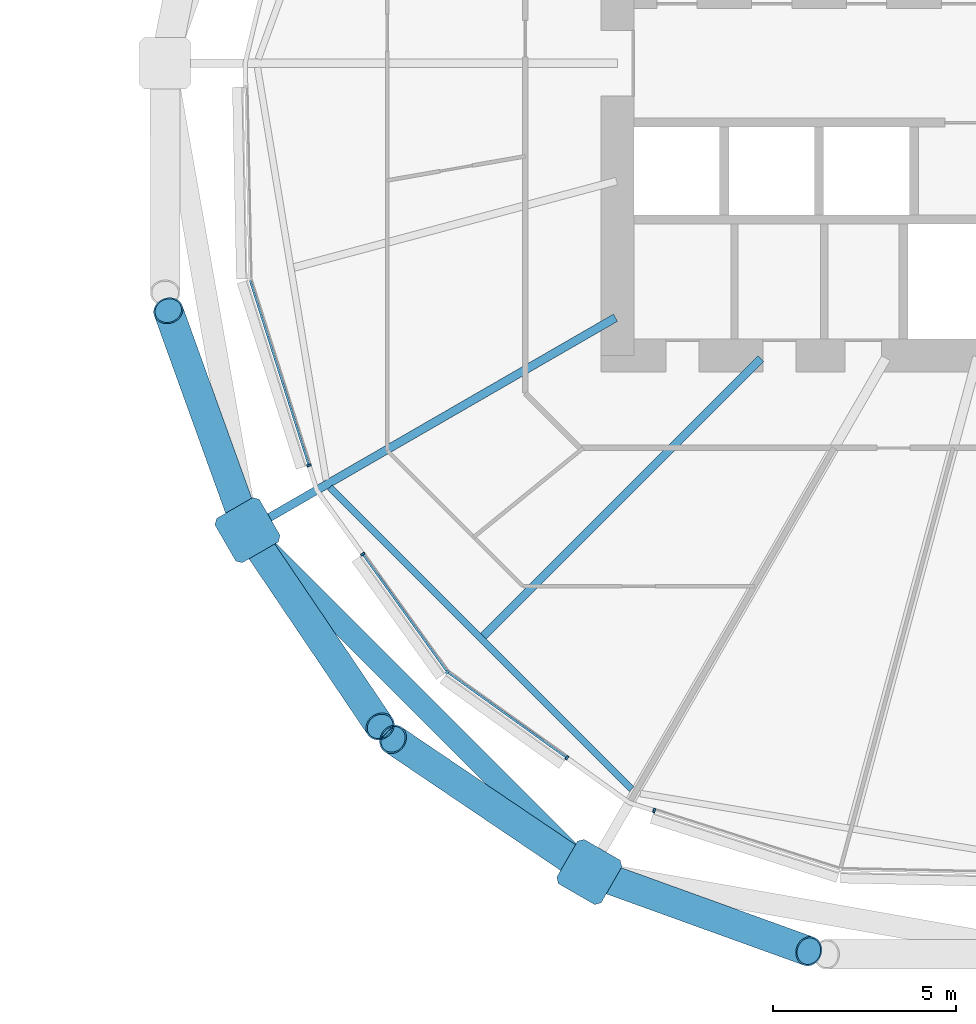
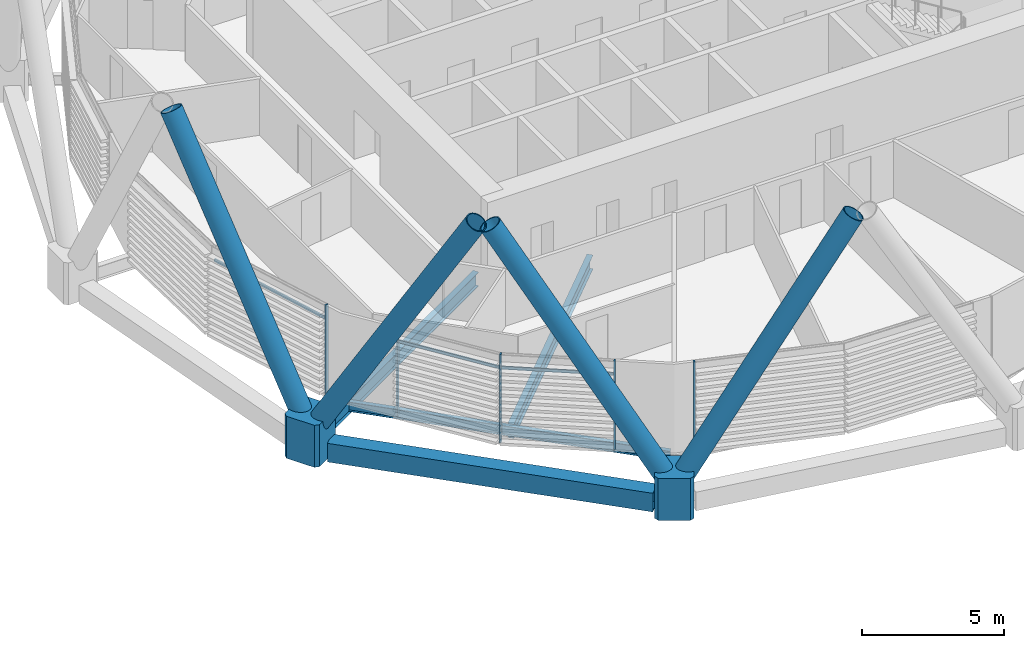
# One storey, part 11 of 36: 14 members, 4 beams, 1 element without a shape of its own.
"""IFC4 building model written with IfcOpenShell, lengths in metres."""

from ifc_helpers import new_model, si_unit, direction, frame, origin, origin_2d, place, context, subcontext, project, spatial, polyline, rectangle, hollow_rectangle, hollow_circle, i_section, outline, extrude, material, material_profile, profile_set, type_object, element, aggregate, save


model = new_model("IFC4")

# Units and contexts
model_context = context("Model", 3, precision=1e-05, world=origin(), true_north=direction((0.0, 1.0)))
body_context = subcontext(model_context, "Body", "Model", "MODEL_VIEW")
ifc_project = project(units=[si_unit("LENGTHUNIT", "METRE"), si_unit("AREAUNIT", "SQUARE_METRE"), si_unit("VOLUMEUNIT", "CUBIC_METRE"), si_unit("PLANEANGLEUNIT", "RADIAN"), si_unit("MASSUNIT", "GRAM", prefix="KILO")], contexts=[model_context])

# Site, building, storey
site_placement = place(None, origin())
site = spatial("IfcSite", under=ifc_project, at=site_placement, CompositionType="ELEMENT")
building_placement = place(site_placement, origin())
building = spatial("IfcBuilding", under=site, at=building_placement, Name="Rimbun Link Towers", CompositionType="ELEMENT")
storey_placement = place(building_placement, frame((0.0, 0.0, 64.199951171875)))
storey = spatial("IfcBuildingStorey", under=building, at=storey_placement, Name="L15", CompositionType="ELEMENT", Elevation=64.199951171875)

# Curtain wall, members
ifc_material_1 = material(Name="Aluminium 6063-T6 and low-iron glass", Category="aluminium")
curtain_wall_type = type_object("IfcCurtainWallType", Name="CW1 unitised vision wall", PredefinedType="NOTDEFINED", material=ifc_material_1)
curtain_wall_placement = place(storey_placement, origin())
curtain_wall = element("IfcCurtainWall", 1, at=curtain_wall_placement, inside=storey, type_object=curtain_wall_type, Name="CW1 L15 T2", PredefinedType="NOTDEFINED")
ifc_material_2 = material(Name="Aluminium 6063-T6", Category="aluminium")
ifc_material_profile_1 = material_profile(ifc_material_2, rectangle(XDim=0.1201171875, YDim=0.06005859375, at=origin_2d()), Name="MULLION 60X120")
ifc_profile_set_1 = profile_set([ifc_material_profile_1], Name="Aluminium 6063-T6")
member_type_1 = type_object("IfcMemberType", Name="CW1 mullion 60X120", PredefinedType="MULLION", material=ifc_profile_set_1)
member_1_placement = place(storey_placement, frame((11.30517578125, -10.99951171875, 0.0), z_axis=(0.0, 0.0, 1.0), x_axis=(-0.952969504125, -0.30306620433, 0.0)))
member_1 = element("IfcMember", 2, at=member_1_placement, type_object=member_type_1, Name="CW1 mullion", PredefinedType="MULLION", context=body_context, shape_type="SweptSolid", body=[
    extrude(rectangle(XDim=0.1201171875, YDim=0.06005859375, at=origin_2d()), origin(), (0.0, 0.0, 1.0), 3.800048828125),
])
member_2_placement = place(storey_placement, frame((15.094482421875, -16.655517578125, 0.0), z_axis=(0.0, 0.0, 1.0), x_axis=(-0.707106781187, -0.707106781187, 0.0)))
member_2 = element("IfcMember", 3, at=member_2_placement, type_object=member_type_1, Name="CW1 mullion", PredefinedType="MULLION", context=body_context, shape_type="SweptSolid", body=[
    extrude(rectangle(XDim=0.1201171875, YDim=0.06005859375, at=origin_2d()), origin(), (0.0, 0.0, 1.0), 3.800048828125),
])
member_3_placement = place(storey_placement, frame((12.779296875, -13.43017578125, 0.0), z_axis=(0.0, 0.0, 1.0), x_axis=(-0.812471013588, -0.583001588402, 0.0)))
member_3 = element("IfcMember", 4, at=member_3_placement, type_object=member_type_1, Name="CW1 mullion", PredefinedType="MULLION", context=body_context, shape_type="SweptSolid", body=[
    extrude(rectangle(XDim=0.1201171875, YDim=0.06005859375, at=origin_2d()), origin(), (0.0, 0.0, 1.0), 3.800048828125),
])
member_4_placement = place(storey_placement, frame((18.360595703125, -19.0, 0.0), z_axis=(0.0, 0.0, 1.0), x_axis=(-0.583001588402, -0.812471013588, 0.0)))
member_4 = element("IfcMember", 5, at=member_4_placement, type_object=member_type_1, Name="CW1 mullion", PredefinedType="MULLION", context=body_context, shape_type="SweptSolid", body=[
    extrude(rectangle(XDim=0.1201171875, YDim=0.06005859375, at=origin_2d()), origin(), (0.0, 0.0, 1.0), 3.800048828125),
])
member_5_placement = place(storey_placement, frame((20.75048828125, -20.44482421875, 0.0), z_axis=(0.0, 0.0, 1.0), x_axis=(-0.30306620433, -0.952969504125, 0.0)))
member_5 = element("IfcMember", 6, at=member_5_placement, type_object=member_type_1, Name="CW1 mullion", PredefinedType="MULLION", context=body_context, shape_type="SweptSolid", body=[
    extrude(rectangle(XDim=0.1201171875, YDim=0.06005859375, at=origin_2d()), origin(), (0.0, 0.0, 1.0), 3.800048828125),
])
ifc_material_3 = material(Name="Aluminium 6063-T6", Category="aluminium")
ifc_material_profile_2 = material_profile(ifc_material_3, rectangle(XDim=0.06005859375, YDim=0.1201171875, at=origin_2d()), Name="TRANSOM 60X120")
ifc_profile_set_2 = profile_set([ifc_material_profile_2], Name="Aluminium 6063-T6")
member_type_2 = type_object("IfcMemberType", Name="CW1 transom 60X120", PredefinedType="USERDEFINED", material=ifc_profile_set_2)
member_6_placement = place(storey_placement, frame((11.298095703125, -10.97021484375, 3.199951171875), z_axis=(-0.303092876112, 0.952961021475, 0.0), x_axis=(-0.952961021475, -0.303092876112, 0.0)))
member_6 = element("IfcMember", 7, at=member_6_placement, type_object=member_type_2, Name="CW1 transom", ObjectType="TRANSOM", PredefinedType="USERDEFINED", context=body_context, shape_type="SweptSolid", body=[
    extrude(rectangle(XDim=0.06005859375, YDim=0.1201171875, at=origin_2d()), origin(), (0.0, 0.0, 1.0), 5.276123046875),
])
member_7_placement = place(storey_placement, frame((15.072265625, -16.62255859375, 3.199951171875), z_axis=(-0.582971655835, 0.812492491346, 0.0), x_axis=(-0.812492491346, -0.582971655835, 0.0)))
member_7 = element("IfcMember", 8, at=member_7_placement, type_object=member_type_2, Name="CW1 transom", ObjectType="TRANSOM", PredefinedType="USERDEFINED", context=body_context, shape_type="SweptSolid", body=[
    extrude(rectangle(XDim=0.06005859375, YDim=0.1201171875, at=origin_2d()), origin(), (0.0, 0.0, 1.0), 3.900634765625),
])
member_8_placement = place(storey_placement, frame((18.33740234375, -18.980712890625, 3.199951171875), z_axis=(-0.812516616043, 0.582938031574, 0.0), x_axis=(-0.582938031574, -0.812516616043, 0.0)))
member_8 = element("IfcMember", 9, at=member_8_placement, type_object=member_type_2, Name="CW1 transom", ObjectType="TRANSOM", PredefinedType="USERDEFINED", context=body_context, shape_type="SweptSolid", body=[
    extrude(rectangle(XDim=0.06005859375, YDim=0.1201171875, at=origin_2d()), origin(), (0.0, 0.0, 1.0), 3.95068359375),
])
aggregate(curtain_wall, [member_1, member_2, member_3, member_4, member_5, member_6, member_7, member_8])

# Members
ifc_material_4 = material(Name="Steel S460NH", Category="steel")
ifc_material_profile_3 = material_profile(ifc_material_4, hollow_circle(Radius=0.406494140625, WallThickness=0.0400390625, at=origin_2d()), Name="Diagrid diagonal CHS 813x40")
ifc_profile_set_3 = profile_set([ifc_material_profile_3], Name="Steel S460NH")
member_type_3 = type_object("IfcMemberType", Name="Diagrid diagonal CHS 813x40", PredefinedType="BRACE", material=ifc_profile_set_3)
member_9_placement = place(storey_placement, frame((9.54052734375, -12.53662109375, 0.43212890625), z_axis=(-0.170749579279, 0.473176203335, 0.864262033051), x_axis=(-0.940629830821, -0.339434119337, 0.0)))
element("IfcMember", 10, at=member_9_placement, inside=storey, type_object=member_type_3, Name="Diagrid diagonal T2 L15-L18 11a", PredefinedType="BRACE", context=body_context, shape_type="SweptSolid", body=[
    extrude(hollow_circle(Radius=0.406494140625, WallThickness=0.0400390625, at=origin_2d()), origin(), (0.0, 0.0, 1.0), 12.190673828125),
])
for number, where, z_axis, x_axis, name in (
    (11, (9.768310546875, -12.98388671875, 0.4306640625), (0.284758454959, -0.421463256408, 0.860976971717), (0.828601750922, 0.559838493111, 0.0), "Diagrid diagonal T2 L15-L18 11b"),
    (12, (18.76611328125, -21.981689453125, 0.4306640625), (-0.421463256408, 0.284758454959, 0.860976971717), (-0.559838493111, -0.828601750922, 0.0), "Diagrid diagonal T2 L15-L18 13a"),
):
    element("IfcMember", number, at=place(storey_placement, frame(where, z_axis=z_axis, x_axis=x_axis)), inside=storey, type_object=member_type_3, Name=name, PredefinedType="BRACE", context=body_context, shape_type="SweptSolid", body=[
        extrude(hollow_circle(Radius=0.406494140625, WallThickness=0.0400390625, at=origin_2d()), origin(), (0.0, 0.0, 1.0), 12.240478515625),
    ])
member_10_placement = place(storey_placement, frame((19.21337890625, -22.20947265625, 0.43212890625), z_axis=(0.473176203335, -0.170749579279, 0.864262033051), x_axis=(0.339434119337, 0.940629830821, 0.0)))
element("IfcMember", 13, at=member_10_placement, inside=storey, type_object=member_type_3, Name="Diagrid diagonal T2 L15-L18 13b", PredefinedType="BRACE", context=body_context, shape_type="SweptSolid", body=[
    extrude(hollow_circle(Radius=0.406494140625, WallThickness=0.0400390625, at=origin_2d()), origin(), (0.0, 0.0, 1.0), 12.190673828125),
])
ifc_material_5 = material(Name="Cast steel G20Mn5+QT, Rp0.2 300 MPa", Category="steel")
ifc_material_profile_4 = material_profile(ifc_material_5, outline(polyline([(0.699951171875, -0.570068359375), (0.699951171875, 0.570068359375), (0.570068359375, 0.699951171875), (-0.570068359375, 0.699951171875), (-0.699951171875, 0.570068359375), (-0.699951171875, -0.570068359375), (-0.570068359375, -0.699951171875), (0.570068359375, -0.699951171875), (0.699951171875, -0.570068359375)])), Name="NODE 1400x1400")
ifc_profile_set_4 = profile_set([ifc_material_profile_4], Name="Cast steel G20Mn5+QT, Rp0.2 300 MPa")
member_type_4 = type_object("IfcMemberType", Name="Diagrid node cast 1400", PredefinedType="USERDEFINED", material=ifc_profile_set_4)
for number, where, z_axis, x_axis, name in (
    (14, (9.6259765625, -12.773193359375, -0.89990234375), (0.0, 0.0, 1.0), (-0.866025403784, -0.5, 0.0), "Diagrid node L15 11"),
    (15, (18.976806640625, -22.1240234375, -0.89990234375), (0.0, 0.0, 1.0), (-0.5, -0.866025403784, 0.0), "Diagrid node L15 13"),
):
    element("IfcMember", number, at=place(storey_placement, frame(where, z_axis=z_axis, x_axis=x_axis)), inside=storey, type_object=member_type_4, Name=name, ObjectType="Diagrid node", PredefinedType="USERDEFINED", context=body_context, shape_type="SweptSolid", body=[
        extrude(outline(polyline([(0.699951171875, -0.570068359375), (0.699951171875, 0.570068359375), (0.570068359375, 0.699951171875), (-0.570068359375, 0.699951171875), (-0.699951171875, 0.570068359375), (-0.699951171875, -0.570068359375), (-0.570068359375, -0.699951171875), (0.570068359375, -0.699951171875), (0.699951171875, -0.570068359375)])), origin(), (0.0, 0.0, 1.0), 1.800048828125),
    ])

# Beams
ifc_material_6 = material(Name="Steel S355J2", Category="steel")
ifc_material_profile_5 = material_profile(ifc_material_6, hollow_rectangle(XDim=0.60009765625, YDim=0.800048828125, WallThickness=0.0400390625, at=origin_2d()), Name="Exoskeleton ring girder BOX 600x800x40")
ifc_profile_set_5 = profile_set([ifc_material_profile_5], Name="Steel S355J2")
beam_type_1 = type_object("IfcBeamType", Name="Exoskeleton ring girder BOX 600x800x40", PredefinedType="BEAM", material=ifc_profile_set_5)
beam_1_placement = place(storey_placement, frame((10.12109375, -13.268310546875, -0.56005859375), z_axis=(0.707106781187, -0.707106781187, 0.0), x_axis=(0.707106781187, 0.707106781187, 0.0)))
element("IfcBeam", 16, at=beam_1_placement, inside=storey, type_object=beam_type_1, Name="Exoskeleton ring girder L15 05", PredefinedType="BEAM", context=body_context, shape_type="SweptSolid", body=[
    extrude(hollow_rectangle(XDim=0.60009765625, YDim=0.800048828125, WallThickness=0.0400390625, at=origin_2d()), origin(), (0.0, 0.0, 1.0), 11.82373046875),
])
ifc_material_7 = material(Name="Steel S355J2", Category="steel")
ifc_material_profile_6 = material_profile(ifc_material_7, i_section(OverallWidth=0.177978515625, OverallDepth=0.406494140625, WebThickness=0.0078125, FlangeThickness=0.0126953125, at=origin_2d()), Name="UB 406x178x60")
ifc_profile_set_6 = profile_set([ifc_material_profile_6], Name="Steel S355J2")
beam_type_2 = type_object("IfcBeamType", Name="UB 406x178x60", PredefinedType="BEAM", material=ifc_profile_set_6)
beam_2_placement = place(storey_placement, frame((11.880126953125, -11.6044921875, -0.363037109375), z_axis=(0.707117242352, -0.707096319866, 0.0), x_axis=(0.707096319866, 0.707117242352, 0.0)))
element("IfcBeam", 17, at=beam_2_placement, inside=storey, type_object=beam_type_2, Name="Edge beam T2 L15 11-13", PredefinedType="BEAM", context=body_context, shape_type="SweptSolid", body=[
    extrude(i_section(OverallWidth=0.177978515625, OverallDepth=0.406494140625, WebThickness=0.0078125, FlangeThickness=0.0126953125, at=origin_2d()), origin(), (0.0, 0.0, 1.0), 11.668701171875),
])
ifc_material_8 = material(Name="Steel S355J2", Category="steel")
ifc_material_profile_7 = material_profile(ifc_material_8, i_section(OverallWidth=0.2275390625, OverallDepth=0.6025390625, WebThickness=0.010498046875, FlangeThickness=0.014892578125, at=origin_2d()), Name="UB 610x229x101")
ifc_profile_set_7 = profile_set([ifc_material_profile_7], Name="Steel S355J2")
beam_type_3 = type_object("IfcBeamType", Name="UB 610x229x101", PredefinedType="BEAM", material=ifc_profile_set_7)
beam_3_placement = place(storey_placement, frame((19.692138671875, -6.961669921875, -0.461181640625), z_axis=(-0.866030246746, -0.49999161165, 0.0), x_axis=(0.49999161165, -0.866030246746, 0.0)))
element("IfcBeam", 18, at=beam_3_placement, inside=storey, type_object=beam_type_3, Name="Radial beam T2 L15 11", PredefinedType="BEAM", context=body_context, shape_type="SweptSolid", body=[
    extrude(i_section(OverallWidth=0.2275390625, OverallDepth=0.6025390625, WebThickness=0.010498046875, FlangeThickness=0.014892578125, at=origin_2d()), origin(), (0.0, 0.0, 1.0), 11.123291015625),
])
beam_4_placement = place(storey_placement, frame((23.668701171875, -8.081298828125, -0.461181640625), z_axis=(-0.707106781187, -0.707106781187, 0.0), x_axis=(0.707106781187, -0.707106781187, 0.0)))
element("IfcBeam", 19, at=beam_4_placement, inside=storey, type_object=beam_type_3, Name="Radial beam T2 L15 12", PredefinedType="BEAM", context=body_context, shape_type="SweptSolid", body=[
    extrude(i_section(OverallWidth=0.2275390625, OverallDepth=0.6025390625, WebThickness=0.010498046875, FlangeThickness=0.014892578125, at=origin_2d()), origin(), (0.0, 0.0, 1.0), 10.737060546875),
])

save(model, "model.ifc")
